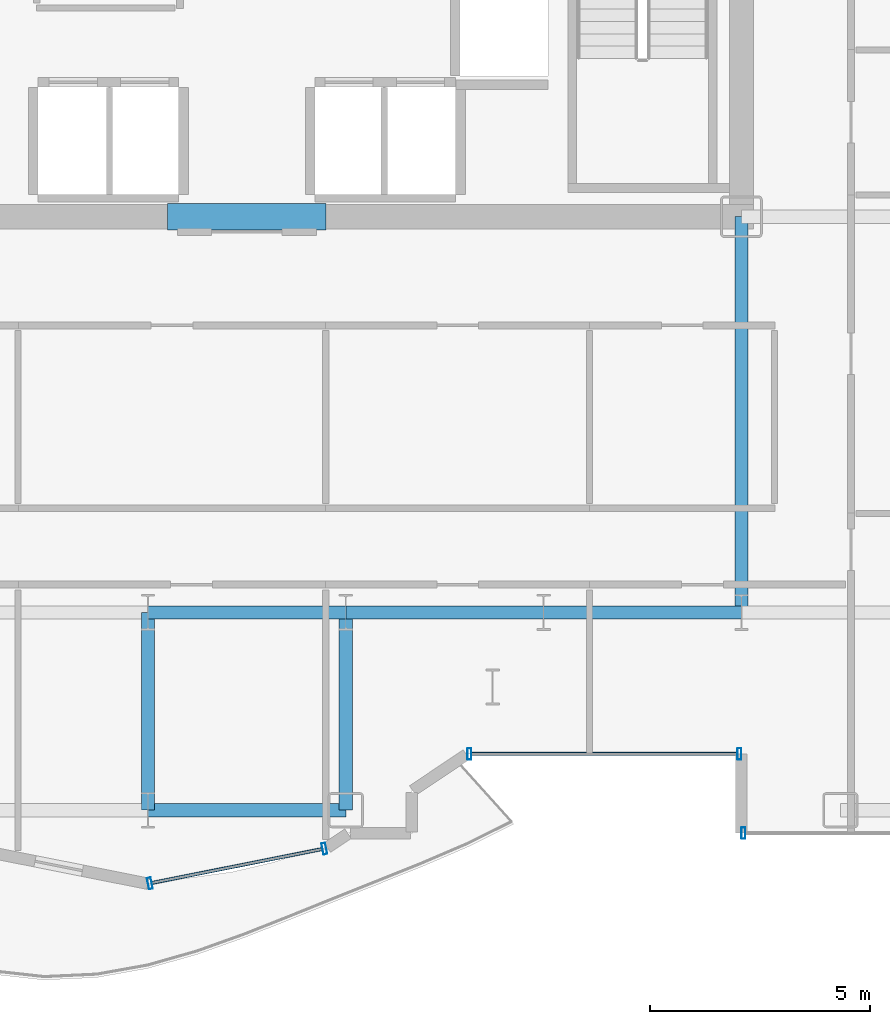
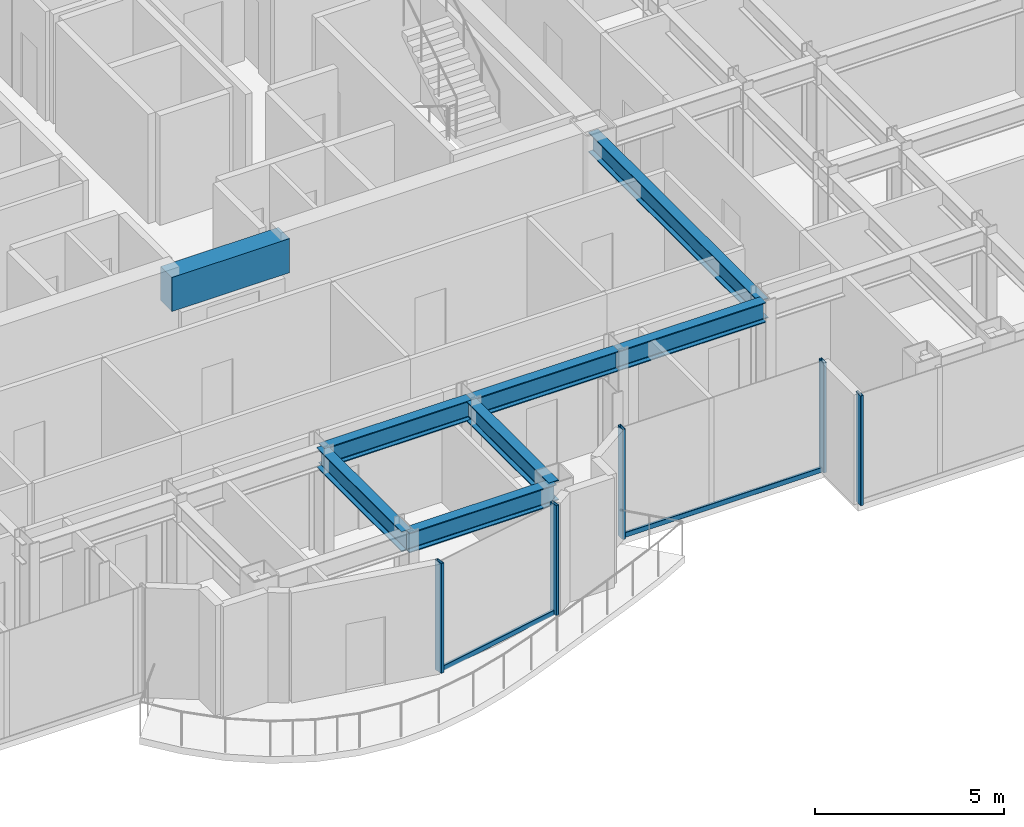
# One storey, part 9 of 26: 8 beams, 7 members, 3 elements without a shape of their own.
"""IFC4 building model written with IfcOpenShell, lengths in metres."""

import ifcopenshell
import ifcopenshell.guid

model = None  # the IFC model being written
_history = None  # IfcOwnerHistory: only IFC2X3 demands one
_inside = {}  # id of a spatial element -> (the spatial element, [elements in it])
_under = {}  # id of a project, library or spatial element -> (it, [spatial elements below it])
_declared = {}  # id of a project -> (the project, [libraries it declares])
_typed = {}  # id of a type object -> (the type object, [elements of that type])
_made_of = {}  # id of a material, layer set ... -> (it, [elements and type objects made of it])


def new_model(schema):
    """Start an empty IFC model of exactly this schema.

    Asked for "IFC4X3", IfcOpenShell would pick the latest addendum, in which some entities
    have other attributes; the version numbers below select the first issue.
    IFC2X3 requires an IfcOwnerHistory on every rooted entity: one is made here for all.
    """
    global model, _history
    if schema == "IFC4X3":
        model = ifcopenshell.file(schema_version=(4, 3, 0, 0))
    else:
        model = ifcopenshell.file(schema=schema)
    _inside.clear()
    _under.clear()
    _declared.clear()
    _typed.clear()
    _made_of.clear()
    _history = None
    if model.schema == "IFC2X3":
        org = make("IfcOrganization", Name="unknown")
        user = make(
            "IfcPersonAndOrganization",
            ThePerson=make("IfcPerson", FamilyName="unknown"),
            TheOrganization=org,
        )
        app = make(
            "IfcApplication",
            ApplicationDeveloper=org,
            Version="unknown",
            ApplicationFullName="unknown",
            ApplicationIdentifier="unknown",
        )
        _history = make(
            "IfcOwnerHistory",
            OwningUser=user,
            OwningApplication=app,
            ChangeAction="ADDED",
            CreationDate=0,
        )
    return model


def make(cls, **values):
    """One entity of the class cls with the attributes given. An attribute that is None is left unset."""
    return model.create_entity(
        cls, **{name: value for name, value in values.items() if value is not None}
    )


def rooted(cls, **values):
    """An entity with a GlobalId (a new one), such as an element, a storey or a relation."""
    return make(cls, GlobalId=ifcopenshell.guid.new(), OwnerHistory=_history, **values)


def si_unit(unit_type, name, prefix=None):
    """IfcSIUnit, for example si_unit("LENGTHUNIT", "METRE", prefix="MILLI")."""
    return make("IfcSIUnit", UnitType=unit_type, Prefix=prefix, Name=name)


def assignment(units):
    """IfcUnitAssignment: the units of a project."""
    return None if units is None else make("IfcUnitAssignment", Units=units)


def point(xyz):
    """IfcCartesianPoint."""
    return None if xyz is None else make("IfcCartesianPoint", Coordinates=xyz)


def direction(xyz):
    """IfcDirection."""
    return None if xyz is None else make("IfcDirection", DirectionRatios=xyz)


def frame(location, z_axis=None, x_axis=None):
    """IfcAxis2Placement3D, a coordinate frame: its origin and axes. An axis left out is left unset."""
    return make(
        "IfcAxis2Placement3D",
        Location=point(location),
        Axis=direction(z_axis),
        RefDirection=direction(x_axis),
    )


def frame_2d(location, x_axis=None):
    """IfcAxis2Placement2D, a coordinate frame in the plane: its origin and x axis."""
    return make(
        "IfcAxis2Placement2D", Location=point(location), RefDirection=direction(x_axis)
    )


def origin():
    """The frame at (0, 0, 0) with its axes left unset."""
    return frame((0.0, 0.0, 0.0))


def origin_2d():
    """The frame at (0, 0) in the plane with its x axis left unset."""
    return frame_2d((0.0, 0.0))


def place(relative_to, where):
    """IfcLocalPlacement: puts the frame where relative to a parent placement (None: the world)."""
    return make(
        "IfcLocalPlacement", PlacementRelTo=relative_to, RelativePlacement=where
    )


def context(
    kind, dimensions, precision=None, world=None, true_north=None, identifier=None
):
    """IfcGeometricRepresentationContext, for example the 3D "Model" context."""
    return make(
        "IfcGeometricRepresentationContext",
        ContextIdentifier=identifier,
        ContextType=kind,
        CoordinateSpaceDimension=dimensions,
        Precision=precision,
        WorldCoordinateSystem=world,
        TrueNorth=true_north,
    )


def subcontext(parent, identifier, kind, view, scale=None):
    """IfcGeometricRepresentationSubContext, for example "Body" below "Model"."""
    return make(
        "IfcGeometricRepresentationSubContext",
        ContextIdentifier=identifier,
        ContextType=kind,
        ParentContext=parent,
        TargetScale=scale,
        TargetView=view,
    )


def project(units=None, contexts=None):
    """IfcProject with its units and contexts."""
    return rooted(
        "IfcProject",
        Name="project",
        RepresentationContexts=contexts,
        UnitsInContext=assignment(units),
    )


def spatial(cls, under=None, at=None, **own):
    """A site, building, storey or space (cls), placed at a placement, below another one or the project."""
    s = rooted(cls, ObjectPlacement=at, **own)
    if under is not None:
        _under.setdefault(under.id(), (under, []))[1].append(s)
    return s


def profile(cls, at=None, kind="AREA", **sizes):
    """A parametric profile (cls). Its sizes go by their IFC names, for example OverallWidth=200.0."""
    return make(cls, ProfileType=kind, Position=at, **sizes)


def rectangle(**sizes):
    """IfcRectangleProfileDef."""
    return profile("IfcRectangleProfileDef", **sizes)


def hollow_rectangle(**sizes):
    """IfcRectangleHollowProfileDef."""
    return profile("IfcRectangleHollowProfileDef", **sizes)


def i_section(**sizes):
    """IfcIShapeProfileDef."""
    return profile("IfcIShapeProfileDef", **sizes)


def extrude(swept, where, along, depth):
    """IfcExtrudedAreaSolid: the profile swept, set in the frame where, extruded along a direction by depth."""
    return make(
        "IfcExtrudedAreaSolid",
        SweptArea=swept,
        Position=where,
        ExtrudedDirection=direction(along),
        Depth=depth,
    )


def shape(context_of_items, identifier, shape_type, items):
    """IfcShapeRepresentation: the items that make up one representation, for example the "Body"."""
    return make(
        "IfcShapeRepresentation",
        ContextOfItems=context_of_items,
        RepresentationIdentifier=identifier,
        RepresentationType=shape_type,
        Items=items,
    )


def source(mapping_origin, context_of_items, identifier, shape_type, items):
    """IfcRepresentationMap: a shape defined once, which mapped items show again and again."""
    return make(
        "IfcRepresentationMap",
        MappingOrigin=mapping_origin,
        MappedRepresentation=shape(context_of_items, identifier, shape_type, items),
    )


def transform(
    local_origin,
    x_axis=None,
    y_axis=None,
    z_axis=None,
    scale=None,
    scale2=None,
    scale3=None,
    uniform=True,
):
    """IfcCartesianTransformationOperator3D, or its non-uniform kind. x_axis, y_axis, z_axis: its Axis1, 2, 3."""
    if uniform:
        return make(
            "IfcCartesianTransformationOperator3D",
            Axis1=direction(x_axis),
            Axis2=direction(y_axis),
            LocalOrigin=point(local_origin),
            Scale=scale,
            Axis3=direction(z_axis),
        )
    return make(
        "IfcCartesianTransformationOperator3DnonUniform",
        Axis1=direction(x_axis),
        Axis2=direction(y_axis),
        LocalOrigin=point(local_origin),
        Scale=scale,
        Axis3=direction(z_axis),
        Scale2=scale2,
        Scale3=scale3,
    )


def mapped(mapping_source, mapping_target):
    """IfcMappedItem: shows the shape of a source again, moved by a transform."""
    return make(
        "IfcMappedItem", MappingSource=mapping_source, MappingTarget=mapping_target
    )


def material(Name=None, Category=None):
    """IfcMaterial."""
    return make("IfcMaterial", Name=Name, Category=Category)


def layer(
    of_material, thickness, ventilated=None, Name=None, Category=None, Priority=None
):
    """IfcMaterialLayer: one layer of a wall or slab, of a material (None: an air gap)."""
    return make(
        "IfcMaterialLayer",
        Material=of_material,
        LayerThickness=thickness,
        IsVentilated=ventilated,
        Name=Name,
        Category=Category,
        Priority=Priority,
    )


def layer_set(layers, Name=None):
    """IfcMaterialLayerSet."""
    return make("IfcMaterialLayerSet", MaterialLayers=layers, LayerSetName=Name)


def material_profile(
    of_material, cross_section, Name=None, Category=None, Priority=None
):
    """IfcMaterialProfile: a cross section and its material."""
    return make(
        "IfcMaterialProfile",
        Name=Name,
        Material=of_material,
        Profile=cross_section,
        Priority=Priority,
        Category=Category,
    )


def profile_set(profiles, Name=None, composite=None):
    """IfcMaterialProfileSet."""
    return make(
        "IfcMaterialProfileSet",
        Name=Name,
        MaterialProfiles=profiles,
        CompositeProfile=composite,
    )


def made_of(thing, what):
    """Note that an element or type object is made of a material, layer set ...; save() writes the relation."""
    if what is not None:
        _made_of.setdefault(what.id(), (what, []))[1].append(thing)
    return thing


def type_object(cls, material=None, **own):
    """A type object (cls), such as IfcWallType, which elements share."""
    return made_of(rooted(cls, **own), material)


def element(
    cls,
    number,
    at=None,
    inside=None,
    cuts=None,
    type_object=None,
    material=None,
    context=None,
    identifier="Body",
    shape_type=None,
    held_by="IfcProductDefinitionShape",
    body=None,
    shapes=None,
    **own,
):
    """One element of the class cls, such as IfcWall. Its Tag is "e" and its number.

    at: its placement. inside: the storey or other place that contains it. cuts: it is an
    opening in that element (IfcRelVoidsElement). A single representation is given by context,
    identifier, shape_type and body (its items); several are given by shapes. held_by: the class
    of the entity that holds the representations. save() writes the other relations.
    """
    e = rooted(cls, Tag="e%d" % number, ObjectPlacement=at, **own)
    if body is not None:
        shapes = [shape(context, identifier, shape_type, body)]
    if shapes is not None:
        e.Representation = make(held_by, Representations=shapes)
    if inside is not None:
        _inside.setdefault(inside.id(), (inside, []))[1].append(e)
    if cuts is not None:
        rooted(
            "IfcRelVoidsElement", RelatingBuildingElement=cuts, RelatedOpeningElement=e
        )
    if type_object is not None:
        _typed.setdefault(type_object.id(), (type_object, []))[1].append(e)
    return made_of(e, material)


def aggregate(whole, parts):
    """IfcRelAggregates: a whole, such as a stair, and the parts it consists of."""
    return rooted("IfcRelAggregates", RelatingObject=whole, RelatedObjects=parts)


def save(model, path):
    """Write the relations noted so far, then the file.

    IfcRelAggregates (storeys below a building ...), IfcRelContainedInSpatialStructure (elements
    in a storey), IfcRelDefinesByType, IfcRelAssociatesMaterial and IfcRelDeclares: one each for
    every whole, place, type object, material and project.
    """
    for whole, parts in _under.values():
        aggregate(whole, parts)
    for where, things in _inside.values():
        rooted(
            "IfcRelContainedInSpatialStructure",
            RelatedElements=things,
            RelatingStructure=where,
        )
    for kind, things in _typed.values():
        rooted("IfcRelDefinesByType", RelatedObjects=things, RelatingType=kind)
    for what, things in _made_of.values():
        rooted("IfcRelAssociatesMaterial", RelatedObjects=things, RelatingMaterial=what)
    for by, libraries in _declared.values():
        rooted("IfcRelDeclares", RelatingContext=by, RelatedDefinitions=libraries)
    model.write(path)


model = new_model("IFC4")

# Units and contexts
model_context = context("Model", 3, precision=1e-05, world=origin(), true_north=direction((0.0, 1.0)))
body_context = subcontext(model_context, "Body", "Model", "MODEL_VIEW")
ifc_project = project(units=[si_unit("LENGTHUNIT", "METRE"), si_unit("AREAUNIT", "SQUARE_METRE"), si_unit("VOLUMEUNIT", "CUBIC_METRE"), si_unit("PLANEANGLEUNIT", "RADIAN"), si_unit("MASSUNIT", "GRAM", prefix="KILO")], contexts=[model_context])

# Site, building, storey
site_placement = place(None, origin())
site = spatial("IfcSite", under=ifc_project, at=site_placement, CompositionType="ELEMENT")
building_placement = place(site_placement, origin())
building = spatial("IfcBuilding", under=site, at=building_placement, Name="Nefas-Gora Pilgrimage Tower", CompositionType="ELEMENT")
storey_placement = place(building_placement, frame((0.0, 0.0, 171.60009765625)))
storey = spatial("IfcBuildingStorey", under=building, at=storey_placement, Name="L42", CompositionType="ELEMENT", Elevation=171.60009765625)

# Beams
ifc_material_1 = material(Name="Concrete C60/75", Category="concrete")
ifc_material_profile_1 = material_profile(ifc_material_1, rectangle(XDim=0.60009765625, YDim=1.10009765625, at=origin_2d()), Name="RC 600x1100")
ifc_profile_set_1 = profile_set([ifc_material_profile_1], Name="Concrete C60/75")
beam_type_1 = type_object("IfcBeamType", Name="BM-LIN-RC1100", PredefinedType="LINTEL", material=ifc_profile_set_1)
shared_shape_1 = source(origin(), body_context, "Body", "SweptSolid", [
    extrude(rectangle(XDim=0.60009765625, YDim=1.10009765625, at=origin_2d()), origin(), (0.0, 0.0, 1.0), 3.60009765625),
])
beam_1_placement = place(storey_placement, frame((-1.800048828125, -9.0, 3.0), z_axis=(1.0, 0.0, 0.0), x_axis=(0.0, 1.0, 0.0)))
element("IfcBeam", 1, at=beam_1_placement, inside=storey, type_object=beam_type_1, Name="L42 Core Coupling Lintel Beam S", PredefinedType="LINTEL", context=body_context, shape_type="MappedRepresentation", body=[
    mapped(shared_shape_1, transform((0.0, 0.0, 0.0), x_axis=(1.0, 0.0, 0.0), y_axis=(0.0, 1.0, 0.0), z_axis=(0.0, 0.0, 1.0), scale=1.0)),
])
ifc_material_2 = material(Name="Steel S355", Category="steel")
ifc_material_profile_2 = material_profile(ifc_material_2, i_section(OverallWidth=0.300048828125, OverallDepth=0.64990234375, WebThickness=0.01611328125, FlangeThickness=0.031005859375, FilletRadius=0.027099609375, at=origin_2d()), Name="HEB 650")
ifc_profile_set_2 = profile_set([ifc_material_profile_2], Name="Steel S355")
beam_type_2 = type_object("IfcBeamType", Name="BM-GIR-HEB650", PredefinedType="BEAM", material=ifc_profile_set_2)
shared_shape_2 = source(origin(), body_context, "Body", "SweptSolid", [
    extrude(i_section(OverallWidth=0.300048828125, OverallDepth=0.64990234375, WebThickness=0.01611328125, FlangeThickness=0.031005859375, FilletRadius=0.027099609375, at=origin_2d()), origin(), (0.0, 0.0, 1.0), 9.0),
])
beam_2_placement = place(storey_placement, frame((11.25, -18.0, 3.224853515625), z_axis=(0.0, 1.0, 0.0), x_axis=(-1.0, 0.0, 0.0)))
element("IfcBeam", 2, at=beam_2_placement, inside=storey, type_object=beam_type_2, Name="L42 G-03 beam", PredefinedType="BEAM", context=body_context, shape_type="MappedRepresentation", body=[
    mapped(shared_shape_2, transform((0.0, 0.0, 0.0), x_axis=(1.0, 0.0, 0.0), y_axis=(0.0, 1.0, 0.0), z_axis=(0.0, 0.0, 1.0), scale=1.0)),
])
shared_shape_3 = source(origin(), body_context, "Body", "SweptSolid", [
    extrude(i_section(OverallWidth=0.300048828125, OverallDepth=0.64990234375, WebThickness=0.01611328125, FlangeThickness=0.031005859375, FilletRadius=0.027099609375, at=origin_2d()), origin(), (0.0, 0.0, 1.0), 4.5),
])
for number, where, z_axis, x_axis, name in (
    (3, (-2.25, -22.5, 3.224853515625), (0.0, 1.0, 0.0), (-1.0, 0.0, 0.0), "L42 G-03 beam"),
    (4, (-2.25, -22.5, 3.224853515625), (1.0, 0.0, 0.0), (0.0, 1.0, 0.0), "L42 G-03 beam"),
    (5, (-2.25, -18.0, 3.224853515625), (1.0, 0.0, 0.0), (0.0, 1.0, 0.0), "L42 G-03 beam"),
    (6, (2.25, -22.5, 3.224853515625), (0.0, 1.0, 0.0), (-1.0, 0.0, 0.0), "L42 G-03 beam"),
    (7, (2.25, -18.0, 3.224853515625), (1.0, 0.0, 0.0), (0.0, 1.0, 0.0), "L42 G-03 beam"),
    (8, (6.75, -18.0, 3.224853515625), (1.0, 0.0, 0.0), (0.0, 1.0, 0.0), "L42 G-03 beam"),
):
    element("IfcBeam", number, at=place(storey_placement, frame(where, z_axis=z_axis, x_axis=x_axis)), inside=storey, type_object=beam_type_2, Name=name, PredefinedType="BEAM", context=body_context, shape_type="MappedRepresentation", body=[
        mapped(shared_shape_3, transform((0.0, 0.0, 0.0), x_axis=(1.0, 0.0, 0.0), y_axis=(0.0, 1.0, 0.0), z_axis=(0.0, 0.0, 1.0), scale=1.0)),
    ])

# Curtain wall, member
ifc_material_3 = material(Name="Dark ceramic-fritted solar-control aluminium-glass curtain wall", Category="aluminium")
ifc_layer_1 = layer(ifc_material_3, 0.219970703125)
ifc_layer_set_1 = layer_set([ifc_layer_1], Name="Dark ceramic-fritted solar-control aluminium-glass curtain wall")
curtain_wall_type_1 = type_object("IfcCurtainWallType", Name="CW-SYS-5", PredefinedType="NOTDEFINED", material=ifc_layer_set_1)
curtain_wall_1_placement = place(storey_placement, origin())
curtain_wall_1 = element("IfcCurtainWall", 9, at=curtain_wall_1_placement, inside=storey, type_object=curtain_wall_type_1, Name="L42 Unitised Curtain Wall CW5", PredefinedType="NOTDEFINED")
ifc_material_4 = material(Name="Anodised architectural aluminium", Category="aluminium")
ifc_material_profile_3 = material_profile(ifc_material_4, hollow_rectangle(XDim=0.080078125, YDim=0.159912109375, WallThickness=0.00439453125, InnerFilletRadius=0.00439453125, OuterFilletRadius=0.009033203125, at=origin_2d()), Name="ALU TRANSOM 80x160")
ifc_profile_set_3 = profile_set([ifc_material_profile_3], Name="Anodised architectural aluminium")
member_type_1 = type_object("IfcMemberType", Name="CWM-TRN-5", PredefinedType="USERDEFINED", material=ifc_profile_set_3)
shared_shape_4 = source(origin(), body_context, "Body", "SweptSolid", [
    extrude(hollow_rectangle(XDim=0.080078125, YDim=0.159912109375, WallThickness=0.00439453125, InnerFilletRadius=0.00439453125, OuterFilletRadius=0.009033203125, at=origin_2d()), origin(), (0.0, 0.0, 1.0), 6.052001953125),
])
member_1_placement = place(storey_placement, frame((5.10791015625, -21.219970703125, 0.0498046875), z_axis=(1.0, 0.0, 0.0), x_axis=(0.0, 1.0, 0.0)))
member_1 = element("IfcMember", 10, at=member_1_placement, type_object=member_type_1, Name="CW5 Spandrel Transom", ObjectType="TRANSOM", PredefinedType="USERDEFINED", context=body_context, shape_type="MappedRepresentation", body=[
    mapped(shared_shape_4, transform((0.0, 0.0, 0.0), x_axis=(1.0, 0.0, 0.0), y_axis=(0.0, 1.0, 0.0), z_axis=(0.0, 0.0, 1.0), scale=1.0)),
])

curtain_wall_2_placement = place(storey_placement, origin())
curtain_wall_2 = element("IfcCurtainWall", 11, at=curtain_wall_2_placement, inside=storey, type_object=curtain_wall_type_1, Name="L42 Unitised Curtain Wall CW5", PredefinedType="NOTDEFINED")
shared_shape_5 = source(origin(), body_context, "Body", "SweptSolid", [
    extrude(hollow_rectangle(XDim=0.080078125, YDim=0.159912109375, WallThickness=0.00439453125, InnerFilletRadius=0.00439453125, OuterFilletRadius=0.009033203125, at=origin_2d()), origin(), (0.0, 0.0, 1.0), 3.95654296875),
])
member_2_placement = place(storey_placement, frame((-2.16162109375, -24.15478515625, 0.0498046875), z_axis=(0.980781880918, 0.195107411605, 0.0), x_axis=(-0.195107411605, 0.980781880918, 0.0)))
member_2 = element("IfcMember", 12, at=member_2_placement, type_object=member_type_1, Name="CW5 Spandrel Transom", ObjectType="TRANSOM", PredefinedType="USERDEFINED", context=body_context, shape_type="MappedRepresentation", body=[
    mapped(shared_shape_5, transform((0.0, 0.0, 0.0), x_axis=(1.0, 0.0, 0.0), y_axis=(0.0, 1.0, 0.0), z_axis=(0.0, 0.0, 1.0), scale=1.0)),
])

# Member
ifc_material_profile_4 = material_profile(ifc_material_4, hollow_rectangle(XDim=0.090087890625, YDim=0.260009765625, WallThickness=0.006103515625, InnerFilletRadius=0.006103515625, OuterFilletRadius=0.011962890625, at=origin_2d()), Name="ALU MULLION 90x260")
ifc_profile_set_4 = profile_set([ifc_material_profile_4], Name="Anodised architectural aluminium")
member_type_2 = type_object("IfcMemberType", Name="CWM-MUL-5", PredefinedType="MULLION", material=ifc_profile_set_4)
shared_shape_6 = source(origin(), body_context, "Body", "SweptSolid", [
    extrude(hollow_rectangle(XDim=0.090087890625, YDim=0.260009765625, WallThickness=0.006103515625, InnerFilletRadius=0.006103515625, OuterFilletRadius=0.011962890625, at=origin_2d()), origin(), (0.0, 0.0, 1.0), 3.5498046875),
])
member_3_placement = place(storey_placement, frame((5.06298828125, -21.219970703125, 0.0), z_axis=(0.0, 0.0, 1.0), x_axis=(1.0, 0.0, 0.0)))
member_3 = element("IfcMember", 13, at=member_3_placement, type_object=member_type_2, Name="CW5 Mullion 1", PredefinedType="MULLION", context=body_context, shape_type="MappedRepresentation", body=[
    mapped(shared_shape_6, transform((0.0, 0.0, 0.0), x_axis=(1.0, 0.0, 0.0), y_axis=(0.0, 1.0, 0.0), z_axis=(0.0, 0.0, 1.0), scale=1.0)),
])

member_4_placement = place(storey_placement, frame((11.205078125, -21.219970703125, 0.0), z_axis=(0.0, 0.0, 1.0), x_axis=(1.0, 0.0, 0.0)))
member_4 = element("IfcMember", 14, at=member_4_placement, type_object=member_type_2, Name="CW5 Mullion 2", PredefinedType="MULLION", context=body_context, shape_type="MappedRepresentation", body=[
    mapped(shared_shape_6, transform((0.0, 0.0, 0.0), x_axis=(1.0, 0.0, 0.0), y_axis=(0.0, 1.0, 0.0), z_axis=(0.0, 0.0, 1.0), scale=1.0)),
])

aggregate(curtain_wall_1, [member_3, member_4, member_1])

member_5_placement = place(storey_placement, frame((-2.205810546875, -24.16357421875, 0.0), z_axis=(0.0, 0.0, 1.0), x_axis=(0.980782896852, 0.195102304554, 0.0)))
member_5 = element("IfcMember", 15, at=member_5_placement, type_object=member_type_2, Name="CW5 Mullion 1", PredefinedType="MULLION", context=body_context, shape_type="MappedRepresentation", body=[
    mapped(shared_shape_6, transform((0.0, 0.0, 0.0), x_axis=(1.0, 0.0, 0.0), y_axis=(0.0, 1.0, 0.0), z_axis=(0.0, 0.0, 1.0), scale=1.0)),
])

member_6_placement = place(storey_placement, frame((1.76318359375, -23.3740234375, 0.0), z_axis=(0.0, 0.0, 1.0), x_axis=(0.980782896852, 0.195102304554, 0.0)))
member_6 = element("IfcMember", 16, at=member_6_placement, type_object=member_type_2, Name="CW5 Mullion 2", PredefinedType="MULLION", context=body_context, shape_type="MappedRepresentation", body=[
    mapped(shared_shape_6, transform((0.0, 0.0, 0.0), x_axis=(1.0, 0.0, 0.0), y_axis=(0.0, 1.0, 0.0), z_axis=(0.0, 0.0, 1.0), scale=1.0)),
])

aggregate(curtain_wall_2, [member_5, member_6, member_2])

# Curtain wall, member
ifc_layer_2 = layer(ifc_material_3, 0.219970703125)
ifc_layer_set_2 = layer_set([ifc_layer_2], Name="Dark ceramic-fritted solar-control aluminium-glass curtain wall")
curtain_wall_type_2 = type_object("IfcCurtainWallType", Name="CW-SYS-3", PredefinedType="NOTDEFINED", material=ifc_layer_set_2)
curtain_wall_3_placement = place(storey_placement, origin())
curtain_wall_3 = element("IfcCurtainWall", 17, at=curtain_wall_3_placement, inside=storey, type_object=curtain_wall_type_2, Name="L42 Unitised Curtain Wall CW3", PredefinedType="NOTDEFINED")
ifc_material_profile_5 = material_profile(ifc_material_4, hollow_rectangle(XDim=0.090087890625, YDim=0.260009765625, WallThickness=0.006103515625, InnerFilletRadius=0.006103515625, OuterFilletRadius=0.011962890625, at=origin_2d()), Name="ALU MULLION 90x260")
ifc_profile_set_5 = profile_set([ifc_material_profile_5], Name="Anodised architectural aluminium")
member_type_3 = type_object("IfcMemberType", Name="CWM-MUL-3", PredefinedType="MULLION", material=ifc_profile_set_5)
shared_shape_7 = source(origin(), body_context, "Body", "SweptSolid", [
    extrude(hollow_rectangle(XDim=0.090087890625, YDim=0.260009765625, WallThickness=0.006103515625, InnerFilletRadius=0.006103515625, OuterFilletRadius=0.011962890625, at=origin_2d()), origin(), (0.0, 0.0, 1.0), 3.5498046875),
])
member_7_placement = place(storey_placement, frame((11.294921875, -23.02001953125, 0.0), z_axis=(0.0, 0.0, 1.0), x_axis=(1.0, 0.0, 0.0)))
member_7 = element("IfcMember", 18, at=member_7_placement, type_object=member_type_3, Name="CW3 Mullion 1", PredefinedType="MULLION", context=body_context, shape_type="MappedRepresentation", body=[
    mapped(shared_shape_7, transform((0.0, 0.0, 0.0), x_axis=(1.0, 0.0, 0.0), y_axis=(0.0, 1.0, 0.0), z_axis=(0.0, 0.0, 1.0), scale=1.0)),
])
aggregate(curtain_wall_3, [member_7])

save(model, "model.ifc")
